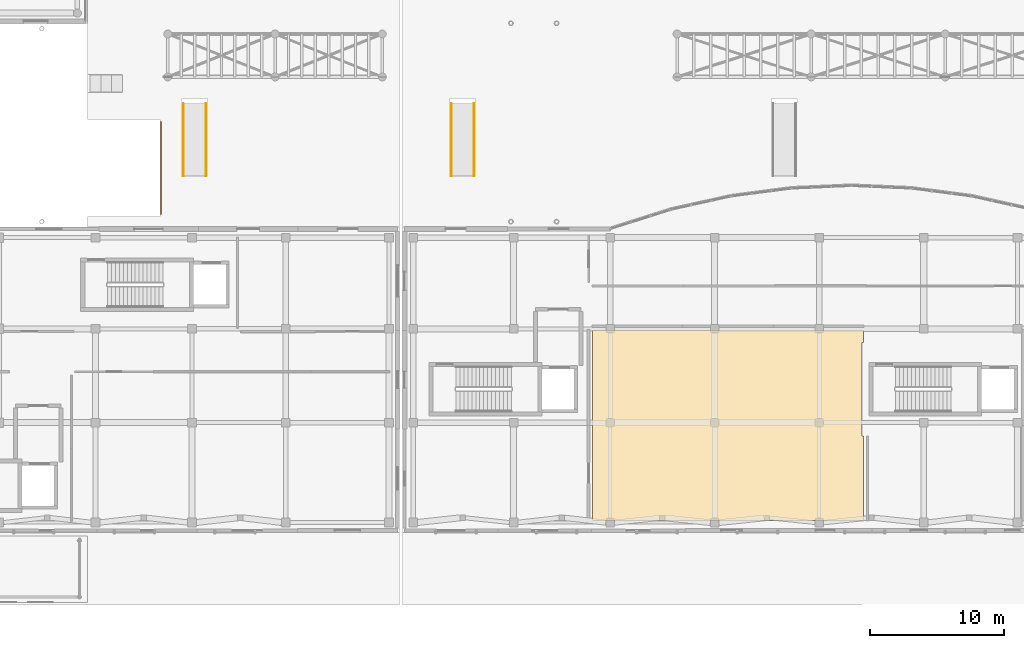
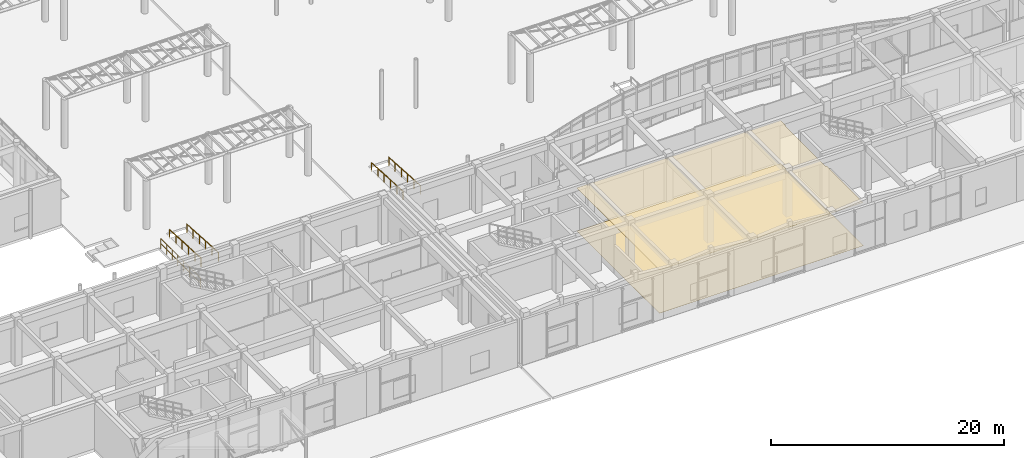
# One storey, part 114 of 121: 5 railings, 2 coverings.
"""IFC4 building model written with IfcOpenShell, lengths in metres."""

from ifc_helpers import new_model, si_unit, direction, frame, origin, origin_2d, place, context, subcontext, project, spatial, polyline, circle, outline, extrude, material, layer, layer_set, type_object, element, save


model = new_model("IFC4")

# Units and contexts
model_context = context("Model", 3, precision=1e-05, world=origin(), true_north=direction((0.0, 1.0)))
body_context = subcontext(model_context, "Body", "Model", "MODEL_VIEW")
ifc_project = project(units=[si_unit("LENGTHUNIT", "METRE"), si_unit("AREAUNIT", "SQUARE_METRE"), si_unit("VOLUMEUNIT", "CUBIC_METRE"), si_unit("PLANEANGLEUNIT", "RADIAN"), si_unit("MASSUNIT", "GRAM", prefix="KILO")], contexts=[model_context])

# Site, building, storey
site_placement = place(None, origin())
site = spatial("IfcSite", under=ifc_project, at=site_placement, CompositionType="ELEMENT")
building_placement = place(site_placement, origin())
building = spatial("IfcBuilding", under=site, at=building_placement, Name="Valcora Specialist Clinic", CompositionType="ELEMENT")
storey_placement = place(building_placement, origin())
storey = spatial("IfcBuildingStorey", under=building, at=storey_placement, Name="L00", CompositionType="ELEMENT", Elevation=0.0)

# Coverings
ifc_material_1 = material(Name="Acoustic Mineral Ceiling Tile")
ifc_layer_1 = layer(ifc_material_1, 0.02001953125)
ifc_layer_set_1 = layer_set([ifc_layer_1], Name="Acoustic Mineral Ceiling Tile")
covering_type_1 = type_object("IfcCoveringType", Name="TY-CV-CLG020", PredefinedType="CEILING", material=ifc_layer_set_1)
covering_1_placement = place(storey_placement, frame((0.0, 0.0, 4.514892578125)))
element("IfcCovering", 1, at=covering_1_placement, inside=storey, type_object=covering_type_1, Name="Acoustic ceiling tile 5", PredefinedType="CEILING", context=body_context, shape_type="SweptSolid", body=[
    extrude(outline(polyline([(67.699951171875, 15.10009765625), (87.89990234375, 15.10009765625), (87.89990234375, 14.199951171875), (87.800048828125, 14.199951171875), (87.800048828125, 7.199951171875), (87.89990234375, 7.199951171875), (87.89990234375, 0.89990234375), (67.699951171875, 0.89990234375), (67.699951171875, 15.10009765625)])), origin(), (0.0, 0.0, 1.0), 0.02001953125),
])
ifc_material_2 = material(Name="Antimicrobial Vinyl Clinical Flooring")
ifc_layer_2 = layer(ifc_material_2, 0.008056640625)
ifc_layer_set_2 = layer_set([ifc_layer_2], Name="Antimicrobial Vinyl Clinical Flooring")
covering_type_2 = type_object("IfcCoveringType", Name="TY-CV-FLR008", PredefinedType="FLOORING", material=ifc_layer_set_2)
covering_2_placement = place(storey_placement, origin())
element("IfcCovering", 2, at=covering_2_placement, inside=storey, type_object=covering_type_2, Name="Antimicrobial clinical flooring 5", PredefinedType="FLOORING", context=body_context, shape_type="SweptSolid", body=[
    extrude(outline(polyline([(67.699951171875, 15.10009765625), (87.89990234375, 15.10009765625), (87.89990234375, 14.199951171875), (87.800048828125, 14.199951171875), (87.800048828125, 7.199951171875), (87.89990234375, 7.199951171875), (87.89990234375, 0.89990234375), (67.699951171875, 0.89990234375), (67.699951171875, 15.10009765625)])), origin(), (0.0, 0.0, 1.0), 0.008056640625),
])

# Railings
ifc_material_3 = material(Name="Stainless Steel AISI 316", Category="steel")
railing_type_1 = type_object("IfcRailingType", Name="TY-RL-BAL112", PredefinedType="BALUSTRADE", material=ifc_material_3)
railing_placement = place(storey_placement, frame((35.47998046875, 23.780029296875, 0.0)))
element("IfcRailing", 3, at=railing_placement, inside=storey, type_object=railing_type_1, Name="Perimeter terrace guard 5", PredefinedType="BALUSTRADE", context=body_context, shape_type="SweptSolid", body=[
    extrude(circle(Radius=0.02392578125, at=origin_2d()), frame((0.0, 0.0, 1.09619140625), z_axis=(0.0, 1.0, 0.0), x_axis=(-1.0, 0.0, 0.0)), (0.0, 0.0, 1.0), 6.840087890625),
    extrude(circle(Radius=0.02392578125, at=origin_2d()), frame((0.0, 0.0, 0.56005859375), z_axis=(0.0, 1.0, 0.0), x_axis=(-1.0, 0.0, 0.0)), (0.0, 0.0, 1.0), 6.840087890625),
    extrude(circle(Radius=0.02099609375, at=origin_2d()), origin(), (0.0, 0.0, 1.0), 1.072021484375),
    extrude(circle(Radius=0.02099609375, at=origin_2d()), frame((0.0, 0.97705078125, 0.0)), (0.0, 0.0, 1.0), 1.072021484375),
    extrude(circle(Radius=0.02099609375, at=origin_2d()), frame((0.0, 1.954345703125, 0.0)), (0.0, 0.0, 1.0), 1.072021484375),
    extrude(circle(Radius=0.02099609375, at=origin_2d()), frame((0.0, 2.931396484375, 0.0)), (0.0, 0.0, 1.0), 1.072021484375),
    extrude(circle(Radius=0.02099609375, at=origin_2d()), frame((0.0, 3.90869140625, 0.0)), (0.0, 0.0, 1.0), 1.072021484375),
    extrude(circle(Radius=0.02099609375, at=origin_2d()), frame((0.0, 4.8857421875, 0.0)), (0.0, 0.0, 1.0), 1.072021484375),
    extrude(circle(Radius=0.02099609375, at=origin_2d()), frame((0.0, 5.863037109375, 0.0)), (0.0, 0.0, 1.0), 1.072021484375),
    extrude(circle(Radius=0.02099609375, at=origin_2d()), frame((0.0, 6.840087890625, 0.0)), (0.0, 0.0, 1.0), 1.072021484375),
])
railing_type_2 = type_object("IfcRailingType", Name="TY-RL-HND092", PredefinedType="HANDRAIL", material=ifc_material_3)
for number, where, name in (
    (4, (37.14990234375, 32.0, -0.300048828125), "Ramp handrail RM-PED-02 L"),
    (5, (38.85009765625, 32.0, -0.300048828125), "Ramp handrail RM-PED-02 R"),
    (6, (57.14990234375, 32.0, -0.300048828125), "Ramp handrail RM-PED-05 L"),
    (7, (58.85009765625, 32.0, -0.300048828125), "Ramp handrail RM-PED-05 R"),
):
    element("IfcRailing", number, at=place(storey_placement, frame(where)), inside=storey, type_object=railing_type_2, Name=name, PredefinedType="HANDRAIL", context=body_context, shape_type="SweptSolid", body=[
        extrude(circle(Radius=0.02392578125, at=origin_2d()), frame((0.0, 0.0, 0.89599609375), z_axis=(0.0, -0.998459797556, 0.0554800204), x_axis=(1.0, 0.0, 0.0)), (0.0, 0.0, 1.0), 5.408203125),
        extrude(circle(Radius=0.02099609375, at=origin_2d()), origin(), (0.0, 0.0, 1.0), 0.871826171875),
        extrude(circle(Radius=0.02099609375, at=origin_2d()), frame((0.0, -1.080078125, 0.06005859375)), (0.0, 0.0, 1.0), 0.871826171875),
        extrude(circle(Radius=0.02099609375, at=origin_2d()), frame((0.0, -2.159912109375, 0.1201171875)), (0.0, 0.0, 1.0), 0.871826171875),
        extrude(circle(Radius=0.02099609375, at=origin_2d()), frame((0.0, -3.239990234375, 0.179931640625)), (0.0, 0.0, 1.0), 0.871826171875),
        extrude(circle(Radius=0.02099609375, at=origin_2d()), frame((0.0, -4.31982421875, 0.239990234375)), (0.0, 0.0, 1.0), 0.871826171875),
        extrude(circle(Radius=0.02099609375, at=origin_2d()), frame((0.0, -5.39990234375, 0.300048828125)), (0.0, 0.0, 1.0), 0.871826171875),
    ])

save(model, "model.ifc")
